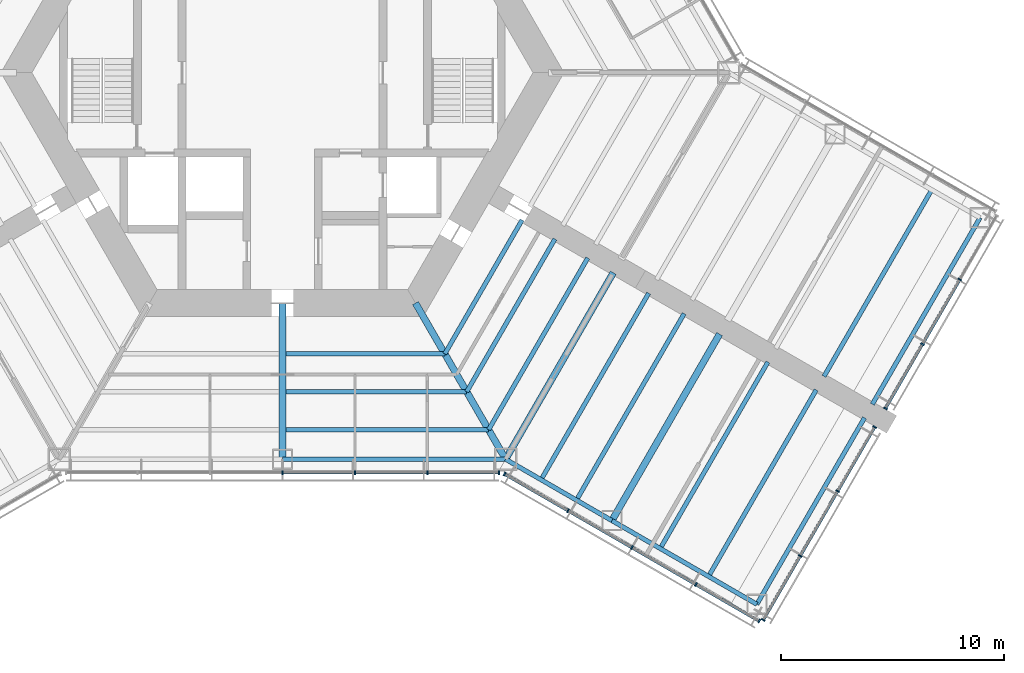
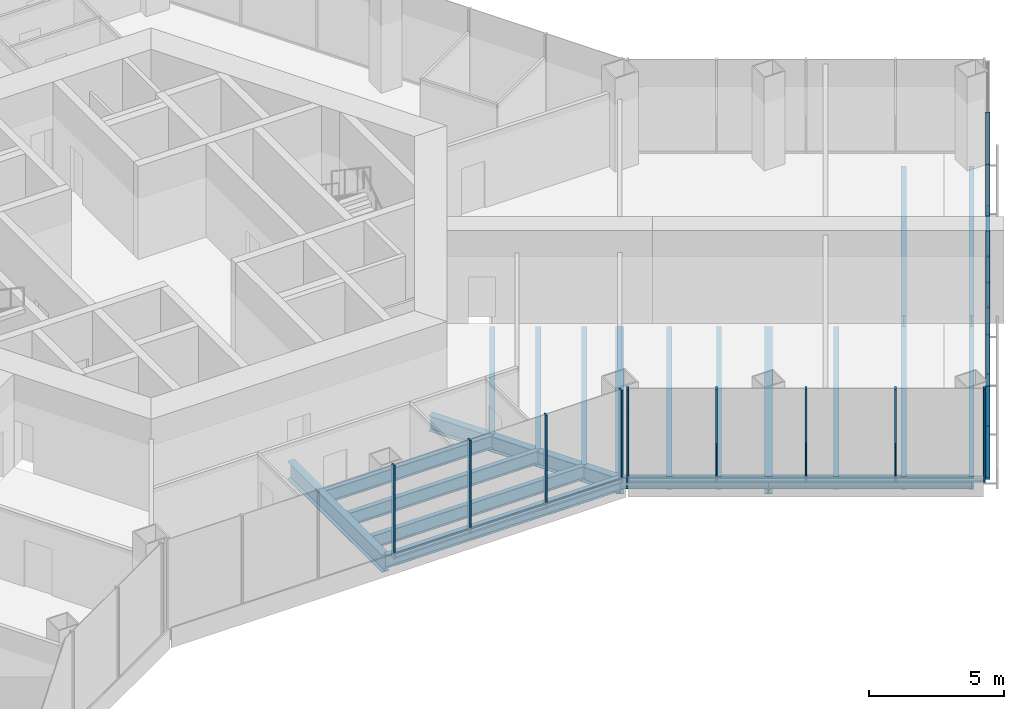
# One storey, part 4 of 16: 28 members, 20 beams, 4 elements without a shape of their own.
"""IFC4 building model written with IfcOpenShell, lengths in metres."""

import ifcopenshell
import ifcopenshell.guid

model = None  # the IFC model being written
_history = None  # IfcOwnerHistory: only IFC2X3 demands one
_inside = {}  # id of a spatial element -> (the spatial element, [elements in it])
_under = {}  # id of a project, library or spatial element -> (it, [spatial elements below it])
_declared = {}  # id of a project -> (the project, [libraries it declares])
_typed = {}  # id of a type object -> (the type object, [elements of that type])
_made_of = {}  # id of a material, layer set ... -> (it, [elements and type objects made of it])


def new_model(schema):
    """Start an empty IFC model of exactly this schema.

    Asked for "IFC4X3", IfcOpenShell would pick the latest addendum, in which some entities
    have other attributes; the version numbers below select the first issue.
    IFC2X3 requires an IfcOwnerHistory on every rooted entity: one is made here for all.
    """
    global model, _history
    if schema == "IFC4X3":
        model = ifcopenshell.file(schema_version=(4, 3, 0, 0))
    else:
        model = ifcopenshell.file(schema=schema)
    _inside.clear()
    _under.clear()
    _declared.clear()
    _typed.clear()
    _made_of.clear()
    _history = None
    if model.schema == "IFC2X3":
        org = make("IfcOrganization", Name="unknown")
        user = make(
            "IfcPersonAndOrganization",
            ThePerson=make("IfcPerson", FamilyName="unknown"),
            TheOrganization=org,
        )
        app = make(
            "IfcApplication",
            ApplicationDeveloper=org,
            Version="unknown",
            ApplicationFullName="unknown",
            ApplicationIdentifier="unknown",
        )
        _history = make(
            "IfcOwnerHistory",
            OwningUser=user,
            OwningApplication=app,
            ChangeAction="ADDED",
            CreationDate=0,
        )
    return model


def make(cls, **values):
    """One entity of the class cls with the attributes given. An attribute that is None is left unset."""
    return model.create_entity(
        cls, **{name: value for name, value in values.items() if value is not None}
    )


def rooted(cls, **values):
    """An entity with a GlobalId (a new one), such as an element, a storey or a relation."""
    return make(cls, GlobalId=ifcopenshell.guid.new(), OwnerHistory=_history, **values)


def si_unit(unit_type, name, prefix=None):
    """IfcSIUnit, for example si_unit("LENGTHUNIT", "METRE", prefix="MILLI")."""
    return make("IfcSIUnit", UnitType=unit_type, Prefix=prefix, Name=name)


def assignment(units):
    """IfcUnitAssignment: the units of a project."""
    return None if units is None else make("IfcUnitAssignment", Units=units)


def point(xyz):
    """IfcCartesianPoint."""
    return None if xyz is None else make("IfcCartesianPoint", Coordinates=xyz)


def direction(xyz):
    """IfcDirection."""
    return None if xyz is None else make("IfcDirection", DirectionRatios=xyz)


def frame(location, z_axis=None, x_axis=None):
    """IfcAxis2Placement3D, a coordinate frame: its origin and axes. An axis left out is left unset."""
    return make(
        "IfcAxis2Placement3D",
        Location=point(location),
        Axis=direction(z_axis),
        RefDirection=direction(x_axis),
    )


def frame_2d(location, x_axis=None):
    """IfcAxis2Placement2D, a coordinate frame in the plane: its origin and x axis."""
    return make(
        "IfcAxis2Placement2D", Location=point(location), RefDirection=direction(x_axis)
    )


def origin():
    """The frame at (0, 0, 0) with its axes left unset."""
    return frame((0.0, 0.0, 0.0))


def origin_2d():
    """The frame at (0, 0) in the plane with its x axis left unset."""
    return frame_2d((0.0, 0.0))


def place(relative_to, where):
    """IfcLocalPlacement: puts the frame where relative to a parent placement (None: the world)."""
    return make(
        "IfcLocalPlacement", PlacementRelTo=relative_to, RelativePlacement=where
    )


def context(
    kind, dimensions, precision=None, world=None, true_north=None, identifier=None
):
    """IfcGeometricRepresentationContext, for example the 3D "Model" context."""
    return make(
        "IfcGeometricRepresentationContext",
        ContextIdentifier=identifier,
        ContextType=kind,
        CoordinateSpaceDimension=dimensions,
        Precision=precision,
        WorldCoordinateSystem=world,
        TrueNorth=true_north,
    )


def subcontext(parent, identifier, kind, view, scale=None):
    """IfcGeometricRepresentationSubContext, for example "Body" below "Model"."""
    return make(
        "IfcGeometricRepresentationSubContext",
        ContextIdentifier=identifier,
        ContextType=kind,
        ParentContext=parent,
        TargetScale=scale,
        TargetView=view,
    )


def project(units=None, contexts=None):
    """IfcProject with its units and contexts."""
    return rooted(
        "IfcProject",
        Name="project",
        RepresentationContexts=contexts,
        UnitsInContext=assignment(units),
    )


def spatial(cls, under=None, at=None, **own):
    """A site, building, storey or space (cls), placed at a placement, below another one or the project."""
    s = rooted(cls, ObjectPlacement=at, **own)
    if under is not None:
        _under.setdefault(under.id(), (under, []))[1].append(s)
    return s


def profile(cls, at=None, kind="AREA", **sizes):
    """A parametric profile (cls). Its sizes go by their IFC names, for example OverallWidth=200.0."""
    return make(cls, ProfileType=kind, Position=at, **sizes)


def rectangle(**sizes):
    """IfcRectangleProfileDef."""
    return profile("IfcRectangleProfileDef", **sizes)


def i_section(**sizes):
    """IfcIShapeProfileDef."""
    return profile("IfcIShapeProfileDef", **sizes)


def extrude(swept, where, along, depth):
    """IfcExtrudedAreaSolid: the profile swept, set in the frame where, extruded along a direction by depth."""
    return make(
        "IfcExtrudedAreaSolid",
        SweptArea=swept,
        Position=where,
        ExtrudedDirection=direction(along),
        Depth=depth,
    )


def shape(context_of_items, identifier, shape_type, items):
    """IfcShapeRepresentation: the items that make up one representation, for example the "Body"."""
    return make(
        "IfcShapeRepresentation",
        ContextOfItems=context_of_items,
        RepresentationIdentifier=identifier,
        RepresentationType=shape_type,
        Items=items,
    )


def material(Name=None, Category=None):
    """IfcMaterial."""
    return make("IfcMaterial", Name=Name, Category=Category)


def material_profile(
    of_material, cross_section, Name=None, Category=None, Priority=None
):
    """IfcMaterialProfile: a cross section and its material."""
    return make(
        "IfcMaterialProfile",
        Name=Name,
        Material=of_material,
        Profile=cross_section,
        Priority=Priority,
        Category=Category,
    )


def profile_set(profiles, Name=None, composite=None):
    """IfcMaterialProfileSet."""
    return make(
        "IfcMaterialProfileSet",
        Name=Name,
        MaterialProfiles=profiles,
        CompositeProfile=composite,
    )


def made_of(thing, what):
    """Note that an element or type object is made of a material, layer set ...; save() writes the relation."""
    if what is not None:
        _made_of.setdefault(what.id(), (what, []))[1].append(thing)
    return thing


def type_object(cls, material=None, **own):
    """A type object (cls), such as IfcWallType, which elements share."""
    return made_of(rooted(cls, **own), material)


def element(
    cls,
    number,
    at=None,
    inside=None,
    cuts=None,
    type_object=None,
    material=None,
    context=None,
    identifier="Body",
    shape_type=None,
    held_by="IfcProductDefinitionShape",
    body=None,
    shapes=None,
    **own,
):
    """One element of the class cls, such as IfcWall. Its Tag is "e" and its number.

    at: its placement. inside: the storey or other place that contains it. cuts: it is an
    opening in that element (IfcRelVoidsElement). A single representation is given by context,
    identifier, shape_type and body (its items); several are given by shapes. held_by: the class
    of the entity that holds the representations. save() writes the other relations.
    """
    e = rooted(cls, Tag="e%d" % number, ObjectPlacement=at, **own)
    if body is not None:
        shapes = [shape(context, identifier, shape_type, body)]
    if shapes is not None:
        e.Representation = make(held_by, Representations=shapes)
    if inside is not None:
        _inside.setdefault(inside.id(), (inside, []))[1].append(e)
    if cuts is not None:
        rooted(
            "IfcRelVoidsElement", RelatingBuildingElement=cuts, RelatedOpeningElement=e
        )
    if type_object is not None:
        _typed.setdefault(type_object.id(), (type_object, []))[1].append(e)
    return made_of(e, material)


def aggregate(whole, parts):
    """IfcRelAggregates: a whole, such as a stair, and the parts it consists of."""
    return rooted("IfcRelAggregates", RelatingObject=whole, RelatedObjects=parts)


def save(model, path):
    """Write the relations noted so far, then the file.

    IfcRelAggregates (storeys below a building ...), IfcRelContainedInSpatialStructure (elements
    in a storey), IfcRelDefinesByType, IfcRelAssociatesMaterial and IfcRelDeclares: one each for
    every whole, place, type object, material and project.
    """
    for whole, parts in _under.values():
        aggregate(whole, parts)
    for where, things in _inside.values():
        rooted(
            "IfcRelContainedInSpatialStructure",
            RelatedElements=things,
            RelatingStructure=where,
        )
    for kind, things in _typed.values():
        rooted("IfcRelDefinesByType", RelatedObjects=things, RelatingType=kind)
    for what, things in _made_of.values():
        rooted("IfcRelAssociatesMaterial", RelatedObjects=things, RelatingMaterial=what)
    for by, libraries in _declared.values():
        rooted("IfcRelDeclares", RelatingContext=by, RelatedDefinitions=libraries)
    model.write(path)


model = new_model("IFC4")

# Units and contexts
model_context = context("Model", 3, precision=1e-05, world=origin(), true_north=direction((0.0, 1.0)))
body_context = subcontext(model_context, "Body", "Model", "MODEL_VIEW")
ifc_project = project(units=[si_unit("LENGTHUNIT", "METRE"), si_unit("AREAUNIT", "SQUARE_METRE"), si_unit("VOLUMEUNIT", "CUBIC_METRE"), si_unit("PLANEANGLEUNIT", "RADIAN"), si_unit("MASSUNIT", "GRAM", prefix="KILO")], contexts=[model_context])

# Site, building, storey
site_placement = place(None, origin())
site = spatial("IfcSite", under=ifc_project, at=site_placement, CompositionType="ELEMENT")
building_placement = place(site_placement, origin())
building = spatial("IfcBuilding", under=site, at=building_placement, Name="Kasaneha Research Tower", CompositionType="ELEMENT")
storey_placement = place(building_placement, frame((0.0, 0.0, 22.60009765625)))
storey = spatial("IfcBuildingStorey", under=building, at=storey_placement, Name="L06", CompositionType="ELEMENT", Elevation=22.60009765625)

# Beams
ifc_material_1 = material(Name="Steel SN490B", Category="steel")
ifc_material_profile_1 = material_profile(ifc_material_1, i_section(OverallWidth=0.199951171875, OverallDepth=0.60009765625, WebThickness=0.010986328125, FlangeThickness=0.01708984375, FilletRadius=0.012939453125, at=origin_2d()), Name="H-600x200x11x17")
ifc_profile_set_1 = profile_set([ifc_material_profile_1], Name="Steel SN490B")
beam_type_1 = type_object("IfcBeamType", Name="B1-1 secondary beam H-600x200x11x17", PredefinedType="JOIST", material=ifc_profile_set_1)
beam_1_placement = place(storey_placement, frame((7.274658203125, -12.60009765625, -0.5), z_axis=(-1.0, 0.0, 0.0), x_axis=(0.0, -1.0, 0.0)))
element("IfcBeam", 1, at=beam_1_placement, inside=storey, type_object=beam_type_1, Name="Secondary beam RS270R1 L06", PredefinedType="JOIST", context=body_context, shape_type="SweptSolid", body=[
    extrude(i_section(OverallWidth=0.199951171875, OverallDepth=0.60009765625, WebThickness=0.010986328125, FlangeThickness=0.01708984375, FilletRadius=0.012939453125, at=origin_2d()), origin(), (0.0, 0.0, 1.0), 7.124755859375),
])
beam_2_placement = place(storey_placement, frame((8.256103515625, -14.300048828125, -0.5), z_axis=(-1.0, 0.0, 0.0), x_axis=(0.0, -1.0, 0.0)))
element("IfcBeam", 2, at=beam_2_placement, inside=storey, type_object=beam_type_1, Name="Secondary beam RS270R2 L06", PredefinedType="JOIST", context=body_context, shape_type="SweptSolid", body=[
    extrude(i_section(OverallWidth=0.199951171875, OverallDepth=0.60009765625, WebThickness=0.010986328125, FlangeThickness=0.01708984375, FilletRadius=0.012939453125, at=origin_2d()), origin(), (0.0, 0.0, 1.0), 8.106201171875),
])
beam_3_placement = place(storey_placement, frame((9.237548828125, -16.0, -0.5), z_axis=(-1.0, 0.0, 0.0), x_axis=(0.0, -1.0, 0.0)))
element("IfcBeam", 3, at=beam_3_placement, inside=storey, type_object=beam_type_1, Name="Secondary beam RS270R3 L06", PredefinedType="JOIST", context=body_context, shape_type="SweptSolid", body=[
    extrude(i_section(OverallWidth=0.199951171875, OverallDepth=0.60009765625, WebThickness=0.010986328125, FlangeThickness=0.01708984375, FilletRadius=0.012939453125, at=origin_2d()), origin(), (0.0, 0.0, 1.0), 9.087646484375),
])
beam_4_placement = place(storey_placement, frame((7.274658203125, -12.60009765625, -0.5), z_axis=(0.499972710878, 0.866041158593, 0.0), x_axis=(-0.866041158593, 0.499972710878, 0.0)))
element("IfcBeam", 4, at=beam_4_placement, inside=storey, type_object=beam_type_1, Name="Secondary beam RS330L1 L06", PredefinedType="JOIST", context=body_context, shape_type="SweptSolid", body=[
    extrude(i_section(OverallWidth=0.199951171875, OverallDepth=0.60009765625, WebThickness=0.010986328125, FlangeThickness=0.01708984375, FilletRadius=0.012939453125, at=origin_2d()), origin(), (0.0, 0.0, 1.0), 6.9248046875),
])
beam_5_placement = place(storey_placement, frame((8.256103515625, -14.300048828125, -0.5), z_axis=(0.500004902938, 0.866022573054, 0.0), x_axis=(-0.866022573054, 0.500004902938, 0.0)))
element("IfcBeam", 5, at=beam_5_placement, inside=storey, type_object=beam_type_1, Name="Secondary beam RS330L2 L06", PredefinedType="JOIST", context=body_context, shape_type="SweptSolid", body=[
    extrude(i_section(OverallWidth=0.199951171875, OverallDepth=0.60009765625, WebThickness=0.010986328125, FlangeThickness=0.01708984375, FilletRadius=0.012939453125, at=origin_2d()), origin(), (0.0, 0.0, 1.0), 7.90625),
])
beam_6_placement = place(storey_placement, frame((9.237548828125, -16.0, -0.5), z_axis=(0.500009382636, 0.866019986649, 0.0), x_axis=(-0.866019986649, 0.500009382636, 0.0)))
element("IfcBeam", 6, at=beam_6_placement, inside=storey, type_object=beam_type_1, Name="Secondary beam RS330L3 L06", PredefinedType="JOIST", context=body_context, shape_type="SweptSolid", body=[
    extrude(i_section(OverallWidth=0.199951171875, OverallDepth=0.60009765625, WebThickness=0.010986328125, FlangeThickness=0.01708984375, FilletRadius=0.012939453125, at=origin_2d()), origin(), (0.0, 0.0, 1.0), 8.887451171875),
])
ifc_material_2 = material(Name="Steel SN490B", Category="steel")
ifc_material_profile_2 = material_profile(ifc_material_2, i_section(OverallWidth=0.198974609375, OverallDepth=0.595947265625, WebThickness=0.010009765625, FlangeThickness=0.014892578125, FilletRadius=0.012939453125, at=origin_2d()), Name="H-596x199x10x15")
ifc_profile_set_2 = profile_set([ifc_material_profile_2], Name="Steel SN490B")
beam_type_2 = type_object("IfcBeamType", Name="B2-1 secondary beam H-596x199x10x15", PredefinedType="JOIST", material=ifc_profile_set_2)
for number, where, z_axis, x_axis, name in (
    (7, (11.587646484375, -18.237060546875, -0.498046875), (0.50000569793, 0.866022114058, 0.0), (-0.866022114058, 0.50000569793, 0.0), "Secondary beam WBCP1 L06"),
    (8, (13.175537109375, -19.15380859375, -0.498046875), (0.499994742786, 0.866028439017, 0.0), (-0.866028439017, 0.499994742786, 0.0), "Secondary beam WBCP2 L06"),
    (9, (16.92822265625, -21.320556640625, -0.498046875), (0.499994742786, 0.866028439017, 0.0), (-0.866028439017, 0.499994742786, 0.0), "Secondary beam WBCP3 L06"),
    (10, (19.09326171875, -22.570556640625, -0.498046875), (0.499994742786, 0.866028439017, 0.0), (-0.866028439017, 0.499994742786, 0.0), "Secondary beam WBCP4 L06"),
    (11, (29.09326171875, -5.25, -0.498046875), (-0.499994742786, -0.866028439017, 0.0), (0.866028439017, -0.499994742786, 0.0), "Secondary beam WBCN4 L06"),
):
    element("IfcBeam", number, at=place(storey_placement, frame(where, z_axis=z_axis, x_axis=x_axis)), inside=storey, type_object=beam_type_2, Name=name, PredefinedType="JOIST", context=body_context, shape_type="SweptSolid", body=[
        extrude(i_section(OverallWidth=0.198974609375, OverallDepth=0.595947265625, WebThickness=0.010009765625, FlangeThickness=0.014892578125, FilletRadius=0.012939453125, at=origin_2d()), origin(), (0.0, 0.0, 1.0), 9.64990234375),
    ])

# Curtain wall, members
ifc_material_3 = material(Name="Glass and aluminium", Category="aluminium")
curtain_wall_type = type_object("IfcCurtainWallType", Name="Wet laboratory curtain wall", PredefinedType="USERDEFINED", material=ifc_material_3)
curtain_wall_1_placement = place(storey_placement, origin())
curtain_wall_1 = element("IfcCurtainWall", 12, at=curtain_wall_1_placement, inside=storey, type_object=curtain_wall_type, Name="CW-L1 L06 run 02a", ObjectType="UNITISED CURTAIN WALL", PredefinedType="USERDEFINED")
ifc_material_4 = material(Name="Aluminium 6063-T6", Category="aluminium")
ifc_material_profile_3 = material_profile(ifc_material_4, rectangle(XDim=0.06494140625, YDim=0.179931640625, at=origin_2d()), Name="CW-L1 mullion 65x180")
ifc_profile_set_3 = profile_set([ifc_material_profile_3], Name="Aluminium 6063-T6")
member_type_1 = type_object("IfcMemberType", Name="CW-L1 mullion", PredefinedType="MULLION", material=ifc_profile_set_3)
member_1_placement = place(storey_placement, frame((0.0, -17.92041015625, 0.0), z_axis=(0.0, 0.0, 1.0), x_axis=(1.0, 0.0, 0.0)))
member_1 = element("IfcMember", 13, at=member_1_placement, type_object=member_type_1, Name="CW-L1 mullion 4", PredefinedType="MULLION", context=body_context, shape_type="SweptSolid", body=[
    extrude(rectangle(XDim=0.06494140625, YDim=0.179931640625, at=origin_2d()), origin(), (0.0, 0.0, 1.0), 4.199951171875),
])
member_2_placement = place(storey_placement, frame((3.246337890625, -17.92041015625, 0.0), z_axis=(0.0, 0.0, 1.0), x_axis=(1.0, 0.0, 0.0)))
member_2 = element("IfcMember", 14, at=member_2_placement, type_object=member_type_1, Name="CW-L1 mullion 5", PredefinedType="MULLION", context=body_context, shape_type="SweptSolid", body=[
    extrude(rectangle(XDim=0.06494140625, YDim=0.179931640625, at=origin_2d()), origin(), (0.0, 0.0, 1.0), 4.199951171875),
])
member_3_placement = place(storey_placement, frame((6.492919921875, -17.92041015625, 0.0), z_axis=(0.0, 0.0, 1.0), x_axis=(1.0, 0.0, 0.0)))
member_3 = element("IfcMember", 15, at=member_3_placement, type_object=member_type_1, Name="CW-L1 mullion 6", PredefinedType="MULLION", context=body_context, shape_type="SweptSolid", body=[
    extrude(rectangle(XDim=0.06494140625, YDim=0.179931640625, at=origin_2d()), origin(), (0.0, 0.0, 1.0), 4.199951171875),
])
member_4_placement = place(storey_placement, frame((9.706787109375, -17.92041015625, 0.0), z_axis=(0.0, 0.0, 1.0), x_axis=(1.0, 0.0, 0.0)))
member_4 = element("IfcMember", 16, at=member_4_placement, type_object=member_type_1, Name="CW-L1 mullion 7", PredefinedType="MULLION", context=body_context, shape_type="SweptSolid", body=[
    extrude(rectangle(XDim=0.06494140625, YDim=0.179931640625, at=origin_2d()), origin(), (0.0, 0.0, 1.0), 4.199951171875),
])

curtain_wall_2_placement = place(storey_placement, origin())
curtain_wall_2 = element("IfcCurtainWall", 17, at=curtain_wall_2_placement, inside=storey, type_object=curtain_wall_type, Name="CW-L1 L06 run 03a", ObjectType="UNITISED CURTAIN WALL", PredefinedType="USERDEFINED")
member_5_placement = place(storey_placement, frame((9.953857421875, -17.98681640625, 0.0), z_axis=(0.0, 0.0, 1.0), x_axis=(0.866025411464, -0.499999986699, 0.0)))
member_5 = element("IfcMember", 18, at=member_5_placement, type_object=member_type_1, Name="CW-L1 mullion 1", PredefinedType="MULLION", context=body_context, shape_type="SweptSolid", body=[
    extrude(rectangle(XDim=0.06494140625, YDim=0.179931640625, at=origin_2d()), origin(), (0.0, 0.0, 1.0), 4.199951171875),
])
member_6_placement = place(storey_placement, frame((12.792236328125, -19.62548828125, 0.0), z_axis=(0.0, 0.0, 1.0), x_axis=(0.866025411464, -0.499999986699, 0.0)))
member_6 = element("IfcMember", 19, at=member_6_placement, type_object=member_type_1, Name="CW-L1 mullion 2", PredefinedType="MULLION", context=body_context, shape_type="SweptSolid", body=[
    extrude(rectangle(XDim=0.06494140625, YDim=0.179931640625, at=origin_2d()), origin(), (0.0, 0.0, 1.0), 4.199951171875),
])
member_7_placement = place(storey_placement, frame((15.65869140625, -21.2802734375, 0.0), z_axis=(0.0, 0.0, 1.0), x_axis=(0.866025411464, -0.499999986699, 0.0)))
member_7 = element("IfcMember", 20, at=member_7_placement, type_object=member_type_1, Name="CW-L1 mullion 3", PredefinedType="MULLION", context=body_context, shape_type="SweptSolid", body=[
    extrude(rectangle(XDim=0.06494140625, YDim=0.179931640625, at=origin_2d()), origin(), (0.0, 0.0, 1.0), 4.199951171875),
])
member_8_placement = place(storey_placement, frame((18.52490234375, -22.935302734375, 0.0), z_axis=(0.0, 0.0, 1.0), x_axis=(0.866025411464, -0.499999986699, 0.0)))
member_8 = element("IfcMember", 21, at=member_8_placement, type_object=member_type_1, Name="CW-L1 mullion 4", PredefinedType="MULLION", context=body_context, shape_type="SweptSolid", body=[
    extrude(rectangle(XDim=0.06494140625, YDim=0.179931640625, at=origin_2d()), origin(), (0.0, 0.0, 1.0), 4.199951171875),
])
member_9_placement = place(storey_placement, frame((21.36328125, -24.573974609375, 0.0), z_axis=(0.0, 0.0, 1.0), x_axis=(0.866025411464, -0.499999986699, 0.0)))
member_9 = element("IfcMember", 22, at=member_9_placement, type_object=member_type_1, Name="CW-L1 mullion 5", PredefinedType="MULLION", context=body_context, shape_type="SweptSolid", body=[
    extrude(rectangle(XDim=0.06494140625, YDim=0.179931640625, at=origin_2d()), origin(), (0.0, 0.0, 1.0), 4.199951171875),
])

curtain_wall_3_placement = place(storey_placement, origin())
curtain_wall_3 = element("IfcCurtainWall", 23, at=curtain_wall_3_placement, inside=storey, type_object=curtain_wall_type, Name="CW-L1 L06 run 04a", ObjectType="UNITISED CURTAIN WALL", PredefinedType="USERDEFINED")
member_10_placement = place(storey_placement, frame((21.544189453125, -24.525390625, 0.0), z_axis=(0.0, 0.0, 1.0), x_axis=(0.500000011442, 0.866025397178, 0.0)))
member_10 = element("IfcMember", 24, at=member_10_placement, type_object=member_type_1, Name="CW-L1 mullion 1", PredefinedType="MULLION", context=body_context, shape_type="SweptSolid", body=[
    extrude(rectangle(XDim=0.06494140625, YDim=0.179931640625, at=origin_2d()), origin(), (0.0, 0.0, 1.0), 4.199951171875),
])
member_11_placement = place(storey_placement, frame((23.202880859375, -21.65234375, 0.0), z_axis=(0.0, 0.0, 1.0), x_axis=(0.500000011442, 0.866025397178, 0.0)))
member_11 = element("IfcMember", 25, at=member_11_placement, type_object=member_type_1, Name="CW-L1 mullion 2", PredefinedType="MULLION", context=body_context, shape_type="SweptSolid", body=[
    extrude(rectangle(XDim=0.06494140625, YDim=0.179931640625, at=origin_2d()), origin(), (0.0, 0.0, 1.0), 4.199951171875),
])
member_12_placement = place(storey_placement, frame((24.8779296875, -18.751220703125, 0.0), z_axis=(0.0, 0.0, 1.0), x_axis=(0.500000011442, 0.866025397178, 0.0)))
member_12 = element("IfcMember", 26, at=member_12_placement, type_object=member_type_1, Name="CW-L1 mullion 3", PredefinedType="MULLION", context=body_context, shape_type="SweptSolid", body=[
    extrude(rectangle(XDim=0.06494140625, YDim=0.179931640625, at=origin_2d()), origin(), (0.0, 0.0, 1.0), 4.199951171875),
])
member_13_placement = place(storey_placement, frame((26.53662109375, -15.878173828125, 0.0), z_axis=(0.0, 0.0, 1.0), x_axis=(0.500000011442, 0.866025397178, 0.0)))
member_13 = element("IfcMember", 27, at=member_13_placement, type_object=member_type_1, Name="CW-L1 mullion 4", PredefinedType="MULLION", context=body_context, shape_type="SweptSolid", body=[
    extrude(rectangle(XDim=0.06494140625, YDim=0.179931640625, at=origin_2d()), origin(), (0.0, 0.0, 1.0), 4.199951171875),
])

curtain_wall_4_placement = place(storey_placement, origin())
curtain_wall_4 = element("IfcCurtainWall", 28, at=curtain_wall_4_placement, inside=storey, type_object=curtain_wall_type, Name="CW-L1 L06 run 05a", ObjectType="UNITISED CURTAIN WALL", PredefinedType="USERDEFINED")
member_14_placement = place(storey_placement, frame((27.019287109375, -15.04248046875, 0.0), z_axis=(0.0, 0.0, 1.0), x_axis=(0.500000011442, 0.866025397178, 0.0)))
member_14 = element("IfcMember", 29, at=member_14_placement, type_object=member_type_1, Name="CW-L1 mullion 1", PredefinedType="MULLION", context=body_context, shape_type="SweptSolid", body=[
    extrude(rectangle(XDim=0.06494140625, YDim=0.179931640625, at=origin_2d()), origin(), (0.0, 0.0, 1.0), 4.199951171875),
])
member_15_placement = place(storey_placement, frame((28.677978515625, -12.16943359375, 0.0), z_axis=(0.0, 0.0, 1.0), x_axis=(0.500000011442, 0.866025397178, 0.0)))
member_15 = element("IfcMember", 30, at=member_15_placement, type_object=member_type_1, Name="CW-L1 mullion 2", PredefinedType="MULLION", context=body_context, shape_type="SweptSolid", body=[
    extrude(rectangle(XDim=0.06494140625, YDim=0.179931640625, at=origin_2d()), origin(), (0.0, 0.0, 1.0), 4.199951171875),
])
member_16_placement = place(storey_placement, frame((30.35302734375, -9.26806640625, 0.0), z_axis=(0.0, 0.0, 1.0), x_axis=(0.500000011442, 0.866025397178, 0.0)))
member_16 = element("IfcMember", 31, at=member_16_placement, type_object=member_type_1, Name="CW-L1 mullion 3", PredefinedType="MULLION", context=body_context, shape_type="SweptSolid", body=[
    extrude(rectangle(XDim=0.06494140625, YDim=0.179931640625, at=origin_2d()), origin(), (0.0, 0.0, 1.0), 4.199951171875),
])

# Member
ifc_material_5 = material(Name="Aluminium 6063-T6", Category="aluminium")
ifc_material_profile_4 = material_profile(ifc_material_5, rectangle(XDim=0.139892578125, YDim=0.06494140625, at=origin_2d()), Name="CW-L1 transom 140x65")
ifc_profile_set_4 = profile_set([ifc_material_profile_4], Name="Aluminium 6063-T6")
member_type_2 = type_object("IfcMemberType", Name="CW-L1 transom", PredefinedType="USERDEFINED", material=ifc_profile_set_4)
member_17_placement = place(storey_placement, frame((0.032470703125, -17.92041015625, 0.032470703125), z_axis=(1.0, 0.0, 0.0), x_axis=(0.0, 1.0, 0.0)))
member_17 = element("IfcMember", 32, at=member_17_placement, type_object=member_type_2, Name="CW-L1 transom 4", ObjectType="TRANSOM", PredefinedType="USERDEFINED", context=body_context, shape_type="SweptSolid", body=[
    extrude(rectangle(XDim=0.139892578125, YDim=0.06494140625, at=origin_2d()), origin(), (0.0, 0.0, 1.0), 3.181396484375),
])

member_18_placement = place(storey_placement, frame((3.27880859375, -17.92041015625, 0.032470703125), z_axis=(1.0, 0.0, 0.0), x_axis=(0.0, 1.0, 0.0)))
member_18 = element("IfcMember", 33, at=member_18_placement, type_object=member_type_2, Name="CW-L1 transom 5", ObjectType="TRANSOM", PredefinedType="USERDEFINED", context=body_context, shape_type="SweptSolid", body=[
    extrude(rectangle(XDim=0.139892578125, YDim=0.06494140625, at=origin_2d()), origin(), (0.0, 0.0, 1.0), 3.181396484375),
])

member_19_placement = place(storey_placement, frame((6.525390625, -17.92041015625, 0.032470703125), z_axis=(1.0, 0.0, 0.0), x_axis=(0.0, 1.0, 0.0)))
member_19 = element("IfcMember", 34, at=member_19_placement, type_object=member_type_2, Name="CW-L1 transom 6", ObjectType="TRANSOM", PredefinedType="USERDEFINED", context=body_context, shape_type="SweptSolid", body=[
    extrude(rectangle(XDim=0.139892578125, YDim=0.06494140625, at=origin_2d()), origin(), (0.0, 0.0, 1.0), 3.14892578125),
])

aggregate(curtain_wall_1, [member_1, member_2, member_3, member_4, member_17, member_18, member_19])

member_20_placement = place(storey_placement, frame((9.982177734375, -18.0029296875, 0.032470703125), z_axis=(0.866022320763, -0.500005339912, 0.0), x_axis=(0.500005339912, 0.866022320763, 0.0)))
member_20 = element("IfcMember", 35, at=member_20_placement, type_object=member_type_2, Name="CW-L1 transom 1", ObjectType="TRANSOM", PredefinedType="USERDEFINED", context=body_context, shape_type="SweptSolid", body=[
    extrude(rectangle(XDim=0.139892578125, YDim=0.06494140625, at=origin_2d()), origin(), (0.0, 0.0, 1.0), 3.21240234375),
])

member_21_placement = place(storey_placement, frame((12.8203125, -19.6416015625, 0.032470703125), z_axis=(0.866002649306, -0.500039409842, 0.0), x_axis=(0.500039409842, 0.866002649306, 0.0)))
member_21 = element("IfcMember", 36, at=member_21_placement, type_object=member_type_2, Name="CW-L1 transom 2", ObjectType="TRANSOM", PredefinedType="USERDEFINED", context=body_context, shape_type="SweptSolid", body=[
    extrude(rectangle(XDim=0.139892578125, YDim=0.06494140625, at=origin_2d()), origin(), (0.0, 0.0, 1.0), 3.244873046875),
])

member_22_placement = place(storey_placement, frame((15.686767578125, -21.296630859375, 0.032470703125), z_axis=(0.866035229914, -0.499982980259, 0.0), x_axis=(0.499982980259, 0.866035229914, 0.0)))
member_22 = element("IfcMember", 37, at=member_22_placement, type_object=member_type_2, Name="CW-L1 transom 3", ObjectType="TRANSOM", PredefinedType="USERDEFINED", context=body_context, shape_type="SweptSolid", body=[
    extrude(rectangle(XDim=0.139892578125, YDim=0.06494140625, at=origin_2d()), origin(), (0.0, 0.0, 1.0), 3.24462890625),
])

member_23_placement = place(storey_placement, frame((18.55322265625, -22.951416015625, 0.032470703125), z_axis=(0.86600331843, -0.500038251005, 0.0), x_axis=(0.500038251005, 0.86600331843, 0.0)))
member_23 = element("IfcMember", 38, at=member_23_placement, type_object=member_type_2, Name="CW-L1 transom 4", ObjectType="TRANSOM", PredefinedType="USERDEFINED", context=body_context, shape_type="SweptSolid", body=[
    extrude(rectangle(XDim=0.139892578125, YDim=0.06494140625, at=origin_2d()), origin(), (0.0, 0.0, 1.0), 3.212158203125),
])

aggregate(curtain_wall_2, [member_5, member_6, member_7, member_8, member_9, member_20, member_21, member_22, member_23])

member_24_placement = place(storey_placement, frame((21.560546875, -24.497314453125, 0.032470703125), z_axis=(0.499973687205, 0.866040594951, 0.0), x_axis=(-0.866040594951, 0.499973687205, 0.0)))
member_24 = element("IfcMember", 39, at=member_24_placement, type_object=member_type_2, Name="CW-L1 transom 1", ObjectType="TRANSOM", PredefinedType="USERDEFINED", context=body_context, shape_type="SweptSolid", body=[
    extrude(rectangle(XDim=0.139892578125, YDim=0.06494140625, at=origin_2d()), origin(), (0.0, 0.0, 1.0), 3.252685546875),
])

member_25_placement = place(storey_placement, frame((23.21923828125, -21.624267578125, 0.032470703125), z_axis=(0.50000765355, 0.86602098496, 0.0), x_axis=(-0.86602098496, 0.50000765355, 0.0)))
member_25 = element("IfcMember", 40, at=member_25_placement, type_object=member_type_2, Name="CW-L1 transom 2", ObjectType="TRANSOM", PredefinedType="USERDEFINED", context=body_context, shape_type="SweptSolid", body=[
    extrude(rectangle(XDim=0.139892578125, YDim=0.06494140625, at=origin_2d()), origin(), (0.0, 0.0, 1.0), 3.28515625),
])

member_26_placement = place(storey_placement, frame((24.894287109375, -18.722900390625, 0.032470703125), z_axis=(0.500006189695, 0.866021830133, 0.0), x_axis=(-0.866021830133, 0.500006189695, 0.0)))
member_26 = element("IfcMember", 41, at=member_26_placement, type_object=member_type_2, Name="CW-L1 transom 3", ObjectType="TRANSOM", PredefinedType="USERDEFINED", context=body_context, shape_type="SweptSolid", body=[
    extrude(rectangle(XDim=0.139892578125, YDim=0.06494140625, at=origin_2d()), origin(), (0.0, 0.0, 1.0), 3.25244140625),
])

aggregate(curtain_wall_3, [member_10, member_11, member_12, member_13, member_24, member_25, member_26])

member_27_placement = place(storey_placement, frame((27.035400390625, -15.01416015625, 0.032470703125), z_axis=(0.500006189695, 0.866021830133, 0.0), x_axis=(-0.866021830133, 0.500006189695, 0.0)))
member_27 = element("IfcMember", 42, at=member_27_placement, type_object=member_type_2, Name="CW-L1 transom 1", ObjectType="TRANSOM", PredefinedType="USERDEFINED", context=body_context, shape_type="SweptSolid", body=[
    extrude(rectangle(XDim=0.139892578125, YDim=0.06494140625, at=origin_2d()), origin(), (0.0, 0.0, 1.0), 3.25244140625),
])

member_28_placement = place(storey_placement, frame((28.694091796875, -12.14111328125, 0.032470703125), z_axis=(0.500039835994, 0.866002403241, 0.0), x_axis=(-0.866002403241, 0.500039835994, 0.0)))
member_28 = element("IfcMember", 43, at=member_28_placement, type_object=member_type_2, Name="CW-L1 transom 2", ObjectType="TRANSOM", PredefinedType="USERDEFINED", context=body_context, shape_type="SweptSolid", body=[
    extrude(rectangle(XDim=0.139892578125, YDim=0.06494140625, at=origin_2d()), origin(), (0.0, 0.0, 1.0), 3.284912109375),
])

aggregate(curtain_wall_4, [member_14, member_15, member_16, member_27, member_28])

# Beams
ifc_material_6 = material(Name="Steel SN490B", Category="steel")
ifc_material_profile_5 = material_profile(ifc_material_6, i_section(OverallWidth=0.300048828125, OverallDepth=0.699951171875, WebThickness=0.012939453125, FlangeThickness=0.02392578125, FilletRadius=0.01806640625, at=origin_2d()), Name="H-700x300x13x24")
ifc_profile_set_5 = profile_set([ifc_material_profile_5], Name="Steel SN490B")
beam_type_3 = type_object("IfcBeamType", Name="G1-1 radial girder H-700x300x13x24", PredefinedType="BEAM", material=ifc_profile_set_5)
beam_7_placement = place(storey_placement, frame((5.961181640625, -10.324951171875, -0.550048828125), z_axis=(0.49999105496, -0.866030568144, 0.0), x_axis=(0.866030568144, 0.49999105496, 0.0)))
element("IfcBeam", 44, at=beam_7_placement, inside=storey, type_object=beam_type_3, Name="Radial girder RV300 L06", PredefinedType="BEAM", context=body_context, shape_type="SweptSolid", body=[
    extrude(i_section(OverallWidth=0.300048828125, OverallDepth=0.699951171875, WebThickness=0.012939453125, FlangeThickness=0.02392578125, FilletRadius=0.01806640625, at=origin_2d()), origin(), (0.0, 0.0, 1.0), 8.077880859375),
])
ifc_material_7 = material(Name="Steel SN490B", Category="steel")
ifc_material_profile_6 = material_profile(ifc_material_7, i_section(OverallWidth=0.300048828125, OverallDepth=0.800048828125, WebThickness=0.013916015625, FlangeThickness=0.02587890625, FilletRadius=0.01806640625, at=origin_2d()), Name="H-800x300x14x26")
ifc_profile_set_6 = profile_set([ifc_material_profile_6], Name="Steel SN490B")
beam_type_4 = type_object("IfcBeamType", Name="G2-1 radial girder H-800x300x14x26", PredefinedType="BEAM", material=ifc_profile_set_6)
beam_8_placement = place(storey_placement, frame((0.0, -10.324951171875, -0.60009765625), z_axis=(0.0, -1.0, 0.0), x_axis=(1.0, 0.0, 0.0)))
element("IfcBeam", 45, at=beam_8_placement, inside=storey, type_object=beam_type_4, Name="Radial girder RM270 L06", PredefinedType="BEAM", context=body_context, shape_type="SweptSolid", body=[
    extrude(i_section(OverallWidth=0.300048828125, OverallDepth=0.800048828125, WebThickness=0.013916015625, FlangeThickness=0.02587890625, FilletRadius=0.01806640625, at=origin_2d()), origin(), (0.0, 0.0, 1.0), 6.99560546875),
])
ifc_material_8 = material(Name="Steel SN490B", Category="steel")
ifc_material_profile_7 = material_profile(ifc_material_8, i_section(OverallWidth=0.300048828125, OverallDepth=0.7919921875, WebThickness=0.013916015625, FlangeThickness=0.02197265625, FilletRadius=0.01806640625, at=origin_2d()), Name="H-792x300x14x22")
ifc_profile_set_7 = profile_set([ifc_material_profile_7], Name="Steel SN490B")
beam_type_5 = type_object("IfcBeamType", Name="G3-1 plate edge girder H-792x300x14x22", PredefinedType="BEAM", material=ifc_profile_set_7)
beam_9_placement = place(storey_placement, frame((10.0, -17.320556640625, -0.59619140625), z_axis=(0.499994742786, 0.866028439017, 0.0), x_axis=(-0.866028439017, 0.499994742786, 0.0)))
element("IfcBeam", 46, at=beam_9_placement, inside=storey, type_object=beam_type_5, Name="Plate edge girder PECP L06", PredefinedType="BEAM", context=body_context, shape_type="SweptSolid", body=[
    extrude(i_section(OverallWidth=0.300048828125, OverallDepth=0.7919921875, WebThickness=0.013916015625, FlangeThickness=0.02197265625, FilletRadius=0.01806640625, at=origin_2d()), origin(), (0.0, 0.0, 1.0), 9.64990234375),
])
ifc_material_9 = material(Name="Steel SN490B", Category="steel")
ifc_material_profile_8 = material_profile(ifc_material_9, i_section(OverallWidth=0.300048828125, OverallDepth=0.800048828125, WebThickness=0.013916015625, FlangeThickness=0.02587890625, FilletRadius=0.01806640625, at=origin_2d()), Name="H-800x300x14x26")
ifc_profile_set_8 = profile_set([ifc_material_profile_8], Name="Steel SN490B")
beam_type_6 = type_object("IfcBeamType", Name="G4-1 wing girder H-800x300x14x26", PredefinedType="BEAM", material=ifc_profile_set_8)
beam_10_placement = place(storey_placement, frame((14.76318359375, -20.070556640625, -0.60009765625), z_axis=(0.499994742786, 0.866028439017, 0.0), x_axis=(-0.866028439017, 0.499994742786, 0.0)))
element("IfcBeam", 47, at=beam_10_placement, inside=storey, type_object=beam_type_6, Name="Wing girder WGCP L06", PredefinedType="BEAM", context=body_context, shape_type="SweptSolid", body=[
    extrude(i_section(OverallWidth=0.300048828125, OverallDepth=0.800048828125, WebThickness=0.013916015625, FlangeThickness=0.02587890625, FilletRadius=0.01806640625, at=origin_2d()), origin(), (0.0, 0.0, 1.0), 9.64990234375),
])
ifc_material_10 = material(Name="Steel SN490B", Category="steel")
ifc_material_profile_9 = material_profile(ifc_material_10, i_section(OverallWidth=0.199951171875, OverallDepth=0.60009765625, WebThickness=0.010986328125, FlangeThickness=0.01708984375, FilletRadius=0.012939453125, at=origin_2d()), Name="H-600x200x11x17")
ifc_profile_set_9 = profile_set([ifc_material_profile_9], Name="Steel SN490B")
beam_type_7 = type_object("IfcBeamType", Name="SB1-1 spandrel beam H-600x200x11x17", PredefinedType="SPANDREL", material=ifc_profile_set_9)
beam_11_placement = place(storey_placement, frame((10.0, -17.320556640625, -0.5), z_axis=(-1.0, 0.0, 0.0), x_axis=(0.0, -1.0, 0.0)))
element("IfcBeam", 48, at=beam_11_placement, inside=storey, type_object=beam_type_7, Name="Spandrel beam SR270R L06", PredefinedType="SPANDREL", context=body_context, shape_type="SweptSolid", body=[
    extrude(i_section(OverallWidth=0.199951171875, OverallDepth=0.60009765625, WebThickness=0.010986328125, FlangeThickness=0.01708984375, FilletRadius=0.012939453125, at=origin_2d()), origin(), (0.0, 0.0, 1.0), 10.0),
])
ifc_material_11 = material(Name="Steel SN490B", Category="steel")
ifc_material_profile_10 = material_profile(ifc_material_11, i_section(OverallWidth=0.199951171875, OverallDepth=0.5, WebThickness=0.010009765625, FlangeThickness=0.01611328125, FilletRadius=0.012939453125, at=origin_2d()), Name="H-500x200x10x16")
ifc_profile_set_10 = profile_set([ifc_material_profile_10], Name="Steel SN490B")
beam_type_8 = type_object("IfcBeamType", Name="SB2-1 spandrel beam H-500x200x10x16", PredefinedType="SPANDREL", material=ifc_profile_set_10)
beam_12_placement = place(storey_placement, frame((10.0, -17.320556640625, -0.4501953125), z_axis=(0.866027397988, -0.499996545922, 0.0), x_axis=(0.499996545922, 0.866027397988, 0.0)))
element("IfcBeam", 49, at=beam_12_placement, inside=storey, type_object=beam_type_8, Name="Spandrel beam WSCP1 L06", PredefinedType="SPANDREL", context=body_context, shape_type="SweptSolid", body=[
    extrude(i_section(OverallWidth=0.199951171875, OverallDepth=0.5, WebThickness=0.010009765625, FlangeThickness=0.01611328125, FilletRadius=0.012939453125, at=origin_2d()), origin(), (0.0, 0.0, 1.0), 5.5),
])
beam_13_placement = place(storey_placement, frame((14.76318359375, -20.070556640625, -0.4501953125), z_axis=(0.866022959057, -0.500004234368, 0.0), x_axis=(0.500004234368, 0.866022959057, 0.0)))
element("IfcBeam", 50, at=beam_13_placement, inside=storey, type_object=beam_type_8, Name="Spandrel beam WSCP2 L06", PredefinedType="SPANDREL", context=body_context, shape_type="SweptSolid", body=[
    extrude(i_section(OverallWidth=0.199951171875, OverallDepth=0.5, WebThickness=0.010009765625, FlangeThickness=0.01611328125, FilletRadius=0.012939453125, at=origin_2d()), origin(), (0.0, 0.0, 1.0), 7.5),
])
ifc_material_12 = material(Name="Steel SN490B", Category="steel")
ifc_material_profile_11 = material_profile(ifc_material_12, i_section(OverallWidth=0.199951171875, OverallDepth=0.60009765625, WebThickness=0.010986328125, FlangeThickness=0.01708984375, FilletRadius=0.012939453125, at=origin_2d()), Name="H-600x200x11x17")
ifc_profile_set_11 = profile_set([ifc_material_profile_11], Name="Steel SN490B")
beam_type_9 = type_object("IfcBeamType", Name="SB3-1 spandrel beam H-600x200x11x17", PredefinedType="SPANDREL", material=ifc_profile_set_11)
for number, where, z_axis, x_axis, name in (
    (51, (21.25830078125, -23.820556640625, -0.5), (0.499994742786, 0.866028439017, 0.0), (-0.866028439017, 0.499994742786, 0.0), "Spandrel beam WTCP L06"),
    (52, (31.25830078125, -6.5, -0.5), (-0.499994742786, -0.866028439017, 0.0), (0.866028439017, -0.499994742786, 0.0), "Spandrel beam WTCN L06"),
):
    element("IfcBeam", number, at=place(storey_placement, frame(where, z_axis=z_axis, x_axis=x_axis)), inside=storey, type_object=beam_type_9, Name=name, PredefinedType="SPANDREL", context=body_context, shape_type="SweptSolid", body=[
        extrude(i_section(OverallWidth=0.199951171875, OverallDepth=0.60009765625, WebThickness=0.010986328125, FlangeThickness=0.01708984375, FilletRadius=0.012939453125, at=origin_2d()), origin(), (0.0, 0.0, 1.0), 9.64990234375),
    ])

save(model, "model.ifc")
